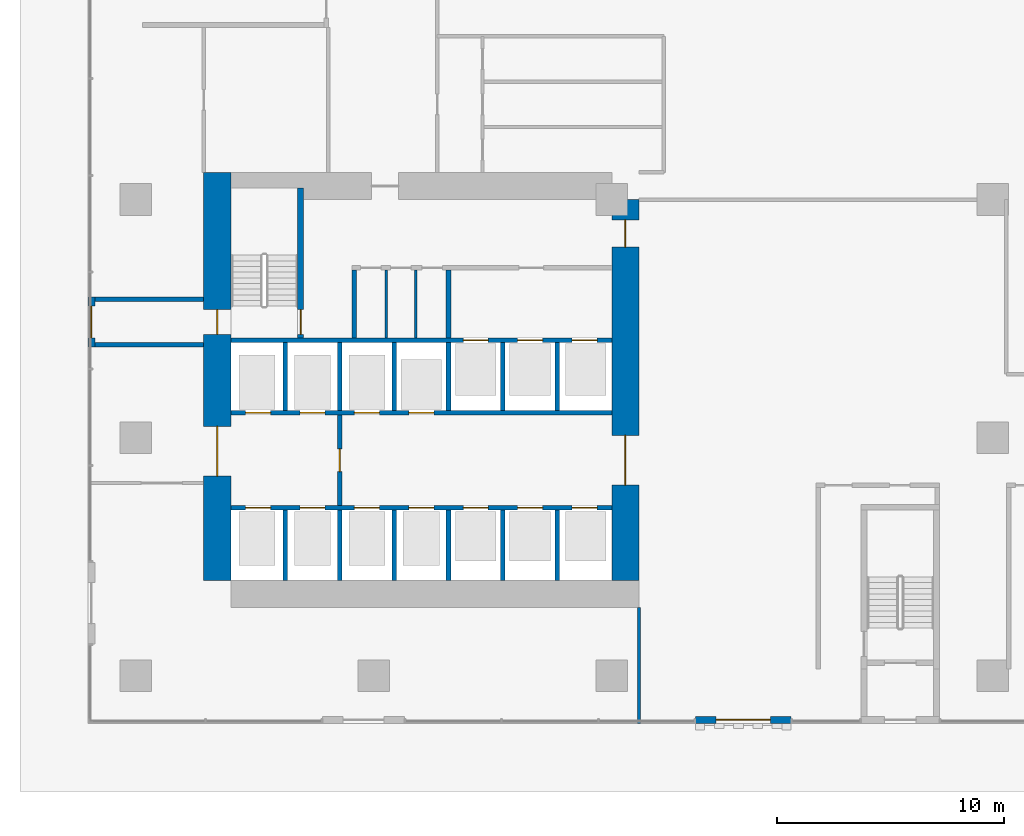
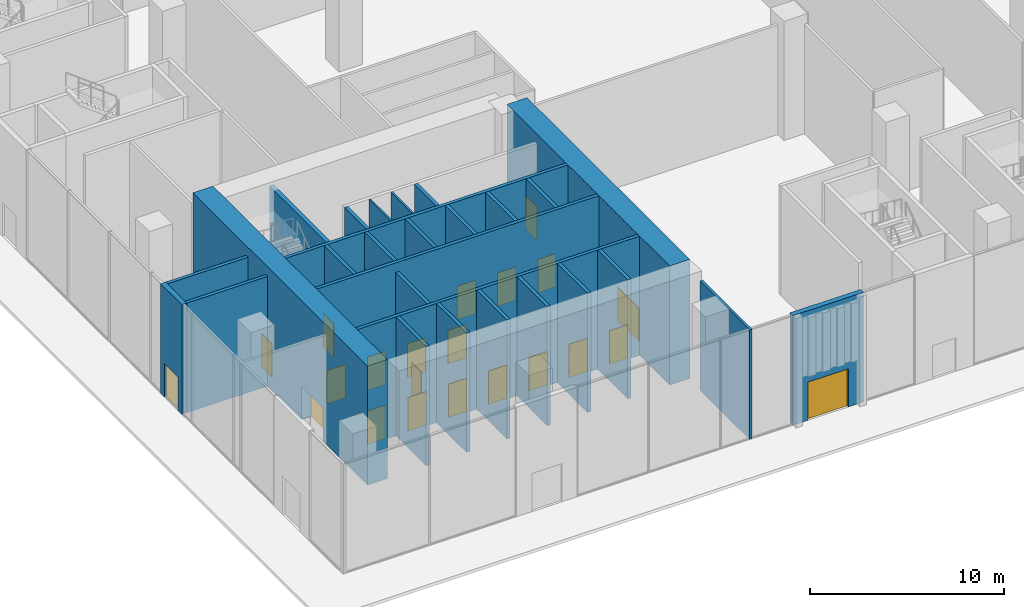
# One storey, part 13 of 26: 28 walls, 22 doors, 22 openings.
"""IFC4 building model written with IfcOpenShell, lengths in metres."""

from ifc_helpers import new_model, si_unit, direction, frame, frame_2d, origin, place, context, subcontext, project, spatial, rectangle, extrude, source, transform, mapped, material, layer, layer_set, type_object, element, fill, save


model = new_model("IFC4")

# Units and contexts
model_context = context("Model", 3, precision=1e-05, world=origin(), true_north=direction((0.0, 1.0)))
body_context = subcontext(model_context, "Body", "Model", "MODEL_VIEW")
ifc_project = project(units=[si_unit("LENGTHUNIT", "METRE"), si_unit("AREAUNIT", "SQUARE_METRE"), si_unit("VOLUMEUNIT", "CUBIC_METRE"), si_unit("PLANEANGLEUNIT", "RADIAN"), si_unit("MASSUNIT", "GRAM", prefix="KILO")], contexts=[model_context])

# Site, building, storey
site_placement = place(None, origin())
site = spatial("IfcSite", under=ifc_project, at=site_placement, CompositionType="ELEMENT")
building_placement = place(site_placement, origin())
building = spatial("IfcBuilding", under=site, at=building_placement, Name="Aurelian Terraces", CompositionType="ELEMENT")
storey_placement = place(building_placement, origin())
storey = spatial("IfcBuildingStorey", under=building, at=storey_placement, Name="L00", CompositionType="ELEMENT", Elevation=0.0)

# Wall, openings, doors
ifc_material_1 = material(Name="Concrete fc' 83 MPa", Category="concrete")
ifc_layer_1 = layer(ifc_material_1, 1.2)
ifc_layer_set_1 = layer_set([ifc_layer_1], Name="CORE WALL 1200 FC83")
wall_type_1 = type_object("IfcWallType", Name="CORE WALL 1200 FC83", PredefinedType="SHEAR", material=ifc_layer_set_1)
wall_1_placement = place(storey_placement, frame((3.6, 4.2, 0.0), z_axis=(0.0, 0.0, 1.0), x_axis=(0.0, 1.0, 0.0)))
wall_1 = element("IfcWall", 1, at=wall_1_placement, inside=storey, type_object=wall_type_1, Name="Core wall W L00", PredefinedType="SHEAR", context=body_context, shape_type="SweptSolid", body=[
    extrude(rectangle(XDim=18.0, YDim=1.2, at=frame_2d((9.0, 0.0))), origin(), (0.0, 0.0, 1.0), 7.5),
])
shared_shape_1 = source(origin(), body_context, "Body", "SweptSolid", [
    extrude(rectangle(XDim=2.2, YDim=2.1, at=frame_2d((1.1, 1.05))), frame((0.0, 0.61, 0.0), z_axis=(0.0, -1.0, 0.0), x_axis=(1.0, 0.0, 0.0)), (0.0, 0.0, 1.0), 1.22),
])
opening_1_placement = place(wall_1_placement, frame((4.6, 0.0, 0.0)))
opening_1 = element("IfcOpeningElement", 2, at=opening_1_placement, cuts=wall_1, Name="Opening 60352", PredefinedType="OPENING", context=body_context, shape_type="MappedRepresentation", body=[
    mapped(shared_shape_1, transform((0.0, 0.0, 0.0), scale=1.0)),
])
opening_2_placement = place(wall_1_placement, frame((10.85, 0.0, 0.0)))
opening_2 = element("IfcOpeningElement", 3, at=opening_2_placement, cuts=wall_1, Name="Opening 60355", PredefinedType="OPENING", context=body_context, shape_type="SweptSolid", body=[
    extrude(rectangle(XDim=1.1, YDim=2.1, at=frame_2d((0.55, 1.05))), frame((0.0, 0.61, 0.0), z_axis=(0.0, -1.0, 0.0), x_axis=(1.0, 0.0, 0.0)), (0.0, 0.0, 1.0), 1.22),
])
ifc_material_2 = material(Name="Steel door leaf", Category="steel")
door_type_1 = type_object("IfcDoorType", Name="Core fire door 1100x2100 right", OperationType="SINGLE_SWING_RIGHT", PredefinedType="DOOR", material=ifc_material_2)
shared_shape_2 = source(origin(), body_context, "Body", "SweptSolid", [
    extrude(rectangle(XDim=1.1, YDim=2.1, at=frame_2d((0.55, 1.05))), frame((0.0, 0.025, 0.0), z_axis=(0.0, -1.0, 0.0), x_axis=(1.0, 0.0, 0.0)), (0.0, 0.0, 1.0), 0.05),
])
door_1_placement = place(opening_2_placement, origin())
door_1 = element("IfcDoor", 4, at=door_1_placement, inside=storey, type_object=door_type_1, Name="Core door 60355", OperationType="SINGLE_SWING_RIGHT", OverallHeight=2.1, OverallWidth=1.1, PredefinedType="DOOR", context=body_context, shape_type="MappedRepresentation", body=[
    mapped(shared_shape_2, transform((0.0, 0.0, 0.0), scale=1.0)),
])
fill(opening_2, door_1)
door_type_2 = type_object("IfcDoorType", Name="Core double door 2200x2100", OperationType="DOUBLE_DOOR_SINGLE_SWING", PredefinedType="DOOR", material=ifc_material_2)
shared_shape_3 = source(origin(), body_context, "Body", "SweptSolid", [
    extrude(rectangle(XDim=2.2, YDim=2.1, at=frame_2d((1.1, 1.05))), frame((0.0, 0.025, 0.0), z_axis=(0.0, -1.0, 0.0), x_axis=(1.0, 0.0, 0.0)), (0.0, 0.0, 1.0), 0.05),
])
door_2_placement = place(opening_1_placement, origin())
door_2 = element("IfcDoor", 5, at=door_2_placement, inside=storey, type_object=door_type_2, Name="Core door 60352", OperationType="DOUBLE_DOOR_SINGLE_SWING", OverallHeight=2.1, OverallWidth=2.2, PredefinedType="DOOR", context=body_context, shape_type="MappedRepresentation", body=[
    mapped(shared_shape_3, transform((0.0, 0.0, 0.0), scale=1.0)),
])
fill(opening_1, door_2)

wall_2_placement = place(storey_placement, frame((21.6, 4.2, 0.0), z_axis=(0.0, 0.0, 1.0), x_axis=(0.0, 1.0, 0.0)))
wall_2 = element("IfcWall", 6, at=wall_2_placement, inside=storey, type_object=wall_type_1, Name="Core wall E L00", PredefinedType="SHEAR", context=body_context, shape_type="SweptSolid", body=[
    extrude(rectangle(XDim=16.8, YDim=1.2, at=frame_2d((8.4, 0.0))), origin(), (0.0, 0.0, 1.0), 7.5),
])
opening_3_placement = place(wall_2_placement, frame((4.2, 0.0, 0.0)))
opening_3 = element("IfcOpeningElement", 7, at=opening_3_placement, cuts=wall_2, Name="Opening 60351", PredefinedType="OPENING", context=body_context, shape_type="MappedRepresentation", body=[
    mapped(shared_shape_1, transform((0.0, 0.0, 0.0), scale=1.0)),
])
shared_shape_4 = source(origin(), body_context, "Body", "SweptSolid", [
    extrude(rectangle(XDim=1.2, YDim=2.1, at=frame_2d((0.6, 1.05))), frame((0.0, 0.61, 0.0), z_axis=(0.0, -1.0, 0.0), x_axis=(1.0, 0.0, 0.0)), (0.0, 0.0, 1.0), 1.22),
])
opening_4_placement = place(wall_2_placement, frame((14.7, 0.0, 0.0)))
opening_4 = element("IfcOpeningElement", 8, at=opening_4_placement, cuts=wall_2, Name="Opening 60354", PredefinedType="OPENING", context=body_context, shape_type="MappedRepresentation", body=[
    mapped(shared_shape_4, transform((0.0, 0.0, 0.0), scale=1.0)),
])
door_type_3 = type_object("IfcDoorType", Name="Core fire door 1200x2100", OperationType="SINGLE_SWING_LEFT", PredefinedType="DOOR", material=ifc_material_2)
shared_shape_5 = source(origin(), body_context, "Body", "SweptSolid", [
    extrude(rectangle(XDim=1.2, YDim=2.1, at=frame_2d((0.6, 1.05))), frame((0.0, 0.025, 0.0), z_axis=(0.0, -1.0, 0.0), x_axis=(1.0, 0.0, 0.0)), (0.0, 0.0, 1.0), 0.05),
])
door_3_placement = place(opening_4_placement, origin())
door_3 = element("IfcDoor", 9, at=door_3_placement, inside=storey, type_object=door_type_3, Name="Core door 60354", OperationType="SINGLE_SWING_LEFT", OverallHeight=2.1, OverallWidth=1.2, PredefinedType="DOOR", context=body_context, shape_type="MappedRepresentation", body=[
    mapped(shared_shape_5, transform((0.0, 0.0, 0.0), scale=1.0)),
])
fill(opening_4, door_3)
door_4_placement = place(opening_3_placement, origin())
door_4 = element("IfcDoor", 10, at=door_4_placement, inside=storey, type_object=door_type_2, Name="Core door 60351", OperationType="DOUBLE_DOOR_SINGLE_SWING", OverallHeight=2.1, OverallWidth=2.2, PredefinedType="DOOR", context=body_context, shape_type="MappedRepresentation", body=[
    mapped(shared_shape_3, transform((0.0, 0.0, 0.0), scale=1.0)),
])
fill(opening_3, door_4)

# Wall
ifc_material_3 = material(Name="Gypsum board on steel studs", Category="steel")
ifc_layer_2 = layer(ifc_material_3, 0.1)
ifc_layer_set_2 = layer_set([ifc_layer_2], Name="Core partition 100")
wall_type_2 = type_object("IfcWallType", Name="Core partition 100", PredefinedType="PARTITIONING", material=ifc_layer_set_2)
wall_3_placement = place(storey_placement, frame((11.05, 14.9, 0.0), z_axis=(0.0, 0.0, 1.0), x_axis=(0.0, 1.0, 0.0)))
element("IfcWall", 11, at=wall_3_placement, inside=storey, type_object=wall_type_2, Name="L00 core wall CP-SV1", PredefinedType="PARTITIONING", context=body_context, shape_type="SweptSolid", body=[
    extrude(rectangle(XDim=3.0, YDim=0.1, at=frame_2d((1.5, 0.0))), origin(), (0.0, 0.0, 1.0), 6.9),
])

# Wall, opening, door
ifc_layer_3 = layer(ifc_material_3, 0.2)
ifc_layer_set_3 = layer_set([ifc_layer_3], Name="Core partition 200")
wall_type_3 = type_object("IfcWallType", Name="Core partition 200", PredefinedType="PARTITIONING", material=ifc_layer_set_3)
wall_4_placement = place(storey_placement, frame((9.0, 7.5, 0.0), z_axis=(0.0, 0.0, 1.0), x_axis=(0.0, 1.0, 0.0)))
wall_4 = element("IfcWall", 12, at=wall_4_placement, inside=storey, type_object=wall_type_3, Name="L00 core wall CP-FCC", PredefinedType="PARTITIONING", context=body_context, shape_type="SweptSolid", body=[
    extrude(rectangle(XDim=4.0, YDim=0.2, at=frame_2d((2.0, 0.0))), origin(), (0.0, 0.0, 1.0), 6.9),
])
opening_5_placement = place(wall_4_placement, frame((1.5, 0.0, 0.0)))
opening_5 = element("IfcOpeningElement", 13, at=opening_5_placement, cuts=wall_4, Name="Opening 60314", PredefinedType="OPENING", context=body_context, shape_type="SweptSolid", body=[
    extrude(rectangle(XDim=1.0, YDim=2.1, at=frame_2d((0.5, 1.05))), frame((0.0, 0.11, 0.0), z_axis=(0.0, -1.0, 0.0), x_axis=(1.0, 0.0, 0.0)), (0.0, 0.0, 1.0), 0.22),
])
door_type_4 = type_object("IfcDoorType", Name="Core fire door 1000x2100 right", OperationType="SINGLE_SWING_RIGHT", PredefinedType="DOOR", material=ifc_material_2)
shared_shape_6 = source(origin(), body_context, "Body", "SweptSolid", [
    extrude(rectangle(XDim=1.0, YDim=2.1, at=frame_2d((0.5, 1.05))), frame((0.0, 0.025, 0.0), z_axis=(0.0, -1.0, 0.0), x_axis=(1.0, 0.0, 0.0)), (0.0, 0.0, 1.0), 0.05),
])
door_5_placement = place(opening_5_placement, origin())
door_5 = element("IfcDoor", 14, at=door_5_placement, inside=storey, type_object=door_type_4, Name="Room door 60314", OperationType="SINGLE_SWING_RIGHT", OverallHeight=2.1, OverallWidth=1.0, PredefinedType="DOOR", context=body_context, shape_type="MappedRepresentation", body=[
    mapped(shared_shape_6, transform((0.0, 0.0, 0.0), scale=1.0)),
])
fill(opening_5, door_5)

# Walls
wall_5_placement = place(storey_placement, frame((9.65, 14.9, 0.0), z_axis=(0.0, 0.0, 1.0), x_axis=(0.0, 1.0, 0.0)))
element("IfcWall", 15, at=wall_5_placement, inside=storey, type_object=wall_type_3, Name="L00 core wall CP-VEST", PredefinedType="PARTITIONING", context=body_context, shape_type="SweptSolid", body=[
    extrude(rectangle(XDim=3.0, YDim=0.2, at=frame_2d((1.5, 0.0))), origin(), (0.0, 0.0, 1.0), 6.9),
])
wall_6_placement = place(storey_placement, frame((-2.1, 14.6, 0.0), z_axis=(0.0, 0.0, 1.0), x_axis=(1.0, 0.0, 0.0)))
element("IfcWall", 16, at=wall_6_placement, inside=storey, type_object=wall_type_3, Name="L00 core wall ST-S1-PS", PredefinedType="PARTITIONING", context=body_context, shape_type="SweptSolid", body=[
    extrude(rectangle(XDim=5.1, YDim=0.2, at=frame_2d((2.55, 0.0))), origin(), (0.0, 0.0, 1.0), 6.9),
])

# Wall, opening, door
ifc_layer_4 = layer(ifc_material_3, 0.3)
ifc_layer_set_4 = layer_set([ifc_layer_4], Name="Core partition 300")
wall_type_4 = type_object("IfcWallType", Name="Core partition 300", PredefinedType="PARTITIONING", material=ifc_layer_set_4)
wall_7_placement = place(storey_placement, frame((-1.95, 14.5, 0.0), z_axis=(0.0, 0.0, 1.0), x_axis=(0.0, 1.0, 0.0)))
wall_7 = element("IfcWall", 17, at=wall_7_placement, inside=storey, type_object=wall_type_4, Name="L00 core wall ST-S1-PO", PredefinedType="PARTITIONING", context=body_context, shape_type="SweptSolid", body=[
    extrude(rectangle(XDim=2.2, YDim=0.3, at=frame_2d((1.1, 0.0))), origin(), (0.0, 0.0, 1.0), 6.9),
])
shared_shape_7 = source(origin(), body_context, "Body", "SweptSolid", [
    extrude(rectangle(XDim=1.4, YDim=2.1, at=frame_2d((0.7, 1.05))), frame((0.0, 0.16, 0.0), z_axis=(0.0, -1.0, 0.0), x_axis=(1.0, 0.0, 0.0)), (0.0, 0.0, 1.0), 0.32),
])
opening_6_placement = place(wall_7_placement, frame((0.4, 0.0, 0.0)))
opening_6 = element("IfcOpeningElement", 18, at=opening_6_placement, cuts=wall_7, Name="Opening 60330", PredefinedType="OPENING", context=body_context, shape_type="MappedRepresentation", body=[
    mapped(shared_shape_7, transform((0.0, 0.0, 0.0), scale=1.0)),
])
door_type_5 = type_object("IfcDoorType", Name="Core exit door 1400x2100", OperationType="DOUBLE_DOOR_SINGLE_SWING", PredefinedType="DOOR", material=ifc_material_2)
shared_shape_8 = source(origin(), body_context, "Body", "SweptSolid", [
    extrude(rectangle(XDim=1.4, YDim=2.1, at=frame_2d((0.7, 1.05))), frame((0.0, 0.025, 0.0), z_axis=(0.0, -1.0, 0.0), x_axis=(1.0, 0.0, 0.0)), (0.0, 0.0, 1.0), 0.05),
])
door_6_placement = place(opening_6_placement, origin())
door_6 = element("IfcDoor", 19, at=door_6_placement, inside=storey, type_object=door_type_5, Name="Exit door 60330", OperationType="DOUBLE_DOOR_SINGLE_SWING", OverallHeight=2.1, OverallWidth=1.4, PredefinedType="DOOR", context=body_context, shape_type="MappedRepresentation", body=[
    mapped(shared_shape_8, transform((0.0, 0.0, 0.0), scale=1.0)),
])
fill(opening_6, door_6)

ifc_material_4 = material(Name="Terracotta rainscreen cladding", Category="masonry")
ifc_layer_5 = layer(ifc_material_4, 0.3)
ifc_layer_set_5 = layer_set([ifc_layer_5], Name="EW-300")
wall_type_5 = type_object("IfcWallType", Name="EW-300", PredefinedType="STANDARD", material=ifc_layer_set_5)
wall_8_placement = place(storey_placement, frame((24.7, -1.95, 0.0), z_axis=(0.0, 0.0, 1.0), x_axis=(1.0, 0.0, 0.0)))
wall_8 = element("IfcWall", 20, at=wall_8_placement, inside=storey, type_object=wall_type_5, Name="Entrance wall L00 F01", PredefinedType="STANDARD", context=body_context, shape_type="SweptSolid", body=[
    extrude(rectangle(XDim=4.2, YDim=0.3, at=frame_2d((2.1, 0.0))), origin(), (0.0, 0.0, 1.0), 6.9),
])
opening_7_placement = place(wall_8_placement, frame((0.9, 0.0, 0.0)))
opening_7 = element("IfcOpeningElement", 21, at=opening_7_placement, cuts=wall_8, Name="Opening 80002", PredefinedType="OPENING", context=body_context, shape_type="SweptSolid", body=[
    extrude(rectangle(XDim=2.4, YDim=2.4, at=frame_2d((1.2, 1.2))), frame((0.0, 0.16, 0.0), z_axis=(0.0, -1.0, 0.0), x_axis=(1.0, 0.0, 0.0)), (0.0, 0.0, 1.0), 0.32),
])
ifc_material_5 = material(Name="Clear glazing", Category="glass")
door_type_6 = type_object("IfcDoorType", Name="ED-2400x2400", OperationType="DOUBLE_DOOR_SINGLE_SWING", PredefinedType="DOOR", material=ifc_material_5)
door_7_placement = place(opening_7_placement, origin())
door_7 = element("IfcDoor", 22, at=door_7_placement, inside=storey, type_object=door_type_6, Name="Entrance door L00 F01", OperationType="DOUBLE_DOOR_SINGLE_SWING", OverallHeight=2.4, OverallWidth=2.4, PredefinedType="DOOR", context=body_context, shape_type="SweptSolid", body=[
    extrude(rectangle(XDim=2.4, YDim=2.4, at=frame_2d((1.2, 1.2))), frame((0.0, 0.025, 0.0), z_axis=(0.0, -1.0, 0.0), x_axis=(1.0, 0.0, 0.0)), (0.0, 0.0, 1.0), 0.05),
])
fill(opening_7, door_7)

# Walls
ifc_material_6 = material(Name="Concrete fc' 40 MPa", Category="concrete")
ifc_layer_6 = layer(ifc_material_6, 0.2)
ifc_layer_set_6 = layer_set([ifc_layer_6], Name="Lift shaft wall 200")
wall_type_6 = type_object("IfcWallType", Name="Lift shaft wall 200", PredefinedType="SOLIDWALL", material=ifc_layer_set_6)
wall_9_placement = place(storey_placement, frame((6.6, 4.2, 0.0), z_axis=(0.0, 0.0, 1.0), x_axis=(0.0, 1.0, 0.0)))
element("IfcWall", 23, at=wall_9_placement, inside=storey, type_object=wall_type_6, Name="L00 core wall CD-A1", PredefinedType="SOLIDWALL", context=body_context, shape_type="SweptSolid", body=[
    extrude(rectangle(XDim=3.1, YDim=0.2, at=frame_2d((1.55, 0.0))), origin(), (0.0, 0.0, 1.0), 7.5),
])
wall_10_placement = place(storey_placement, frame((6.6, 11.7, 0.0), z_axis=(0.0, 0.0, 1.0), x_axis=(0.0, 1.0, 0.0)))
element("IfcWall", 24, at=wall_10_placement, inside=storey, type_object=wall_type_6, Name="L00 core wall CD-B1", PredefinedType="SOLIDWALL", context=body_context, shape_type="SweptSolid", body=[
    extrude(rectangle(XDim=3.0, YDim=0.2, at=frame_2d((1.5, 0.0))), origin(), (0.0, 0.0, 1.0), 7.5),
])

# Wall, openings, doors
wall_11_placement = place(storey_placement, frame((4.2, 7.4, 0.0), z_axis=(0.0, 0.0, 1.0), x_axis=(1.0, 0.0, 0.0)))
wall_11 = element("IfcWall", 25, at=wall_11_placement, inside=storey, type_object=wall_type_6, Name="L00 core wall CF-AF1", PredefinedType="SOLIDWALL", context=body_context, shape_type="SweptSolid", body=[
    extrude(rectangle(XDim=16.8, YDim=0.2, at=frame_2d((8.4, 0.0))), origin(), (0.0, 0.0, 1.0), 7.5),
])
shared_shape_9 = source(origin(), body_context, "Body", "SweptSolid", [
    extrude(rectangle(XDim=1.1, YDim=2.1, at=frame_2d((0.55, 1.05))), frame((0.0, 0.11, 0.0), z_axis=(0.0, -1.0, 0.0), x_axis=(1.0, 0.0, 0.0)), (0.0, 0.0, 1.0), 0.22),
])
opening_8_placement = place(wall_11_placement, frame((0.65, 0.0, 0.0)))
opening_8 = element("IfcOpeningElement", 26, at=opening_8_placement, cuts=wall_11, Name="Opening 60300", PredefinedType="OPENING", context=body_context, shape_type="MappedRepresentation", body=[
    mapped(shared_shape_9, transform((0.0, 0.0, 0.0), scale=1.0)),
])
opening_9_placement = place(wall_11_placement, frame((3.05, 0.0, 0.0)))
opening_9 = element("IfcOpeningElement", 27, at=opening_9_placement, cuts=wall_11, Name="Opening 60301", PredefinedType="OPENING", context=body_context, shape_type="MappedRepresentation", body=[
    mapped(shared_shape_9, transform((0.0, 0.0, 0.0), scale=1.0)),
])
opening_10_placement = place(wall_11_placement, frame((5.45, 0.0, 0.0)))
opening_10 = element("IfcOpeningElement", 28, at=opening_10_placement, cuts=wall_11, Name="Opening 60302", PredefinedType="OPENING", context=body_context, shape_type="MappedRepresentation", body=[
    mapped(shared_shape_9, transform((0.0, 0.0, 0.0), scale=1.0)),
])
opening_11_placement = place(wall_11_placement, frame((7.85, 0.0, 0.0)))
opening_11 = element("IfcOpeningElement", 29, at=opening_11_placement, cuts=wall_11, Name="Opening 60303", PredefinedType="OPENING", context=body_context, shape_type="MappedRepresentation", body=[
    mapped(shared_shape_9, transform((0.0, 0.0, 0.0), scale=1.0)),
])
opening_12_placement = place(wall_11_placement, frame((10.25, 0.0, 0.0)))
opening_12 = element("IfcOpeningElement", 30, at=opening_12_placement, cuts=wall_11, Name="Opening 60304", PredefinedType="OPENING", context=body_context, shape_type="MappedRepresentation", body=[
    mapped(shared_shape_9, transform((0.0, 0.0, 0.0), scale=1.0)),
])
opening_13_placement = place(wall_11_placement, frame((12.65, 0.0, 0.0)))
opening_13 = element("IfcOpeningElement", 31, at=opening_13_placement, cuts=wall_11, Name="Opening 60305", PredefinedType="OPENING", context=body_context, shape_type="MappedRepresentation", body=[
    mapped(shared_shape_9, transform((0.0, 0.0, 0.0), scale=1.0)),
])
opening_14_placement = place(wall_11_placement, frame((15.05, 0.0, 0.0)))
opening_14 = element("IfcOpeningElement", 32, at=opening_14_placement, cuts=wall_11, Name="Opening 60306", PredefinedType="OPENING", context=body_context, shape_type="MappedRepresentation", body=[
    mapped(shared_shape_9, transform((0.0, 0.0, 0.0), scale=1.0)),
])
ifc_material_7 = material(Name="Stainless steel", Category="steel")
door_type_7 = type_object("IfcDoorType", Name="Lift landing door 1100x2100", OperationType="SLIDING_TO_LEFT", PredefinedType="DOOR", material=ifc_material_7)
door_8_placement = place(opening_8_placement, origin())
door_8 = element("IfcDoor", 33, at=door_8_placement, inside=storey, type_object=door_type_7, Name="Lift landing door LL1 L00", OperationType="SLIDING_TO_LEFT", OverallHeight=2.1, OverallWidth=1.1, PredefinedType="DOOR", context=body_context, shape_type="MappedRepresentation", body=[
    mapped(shared_shape_2, transform((0.0, 0.0, 0.0), scale=1.0)),
])
fill(opening_8, door_8)
door_9_placement = place(opening_9_placement, origin())
door_9 = element("IfcDoor", 34, at=door_9_placement, inside=storey, type_object=door_type_7, Name="Lift landing door LL2 L00", OperationType="SLIDING_TO_LEFT", OverallHeight=2.1, OverallWidth=1.1, PredefinedType="DOOR", context=body_context, shape_type="MappedRepresentation", body=[
    mapped(shared_shape_2, transform((0.0, 0.0, 0.0), scale=1.0)),
])
fill(opening_9, door_9)
door_10_placement = place(opening_10_placement, origin())
door_10 = element("IfcDoor", 35, at=door_10_placement, inside=storey, type_object=door_type_7, Name="Lift landing door LL3 L00", OperationType="SLIDING_TO_LEFT", OverallHeight=2.1, OverallWidth=1.1, PredefinedType="DOOR", context=body_context, shape_type="MappedRepresentation", body=[
    mapped(shared_shape_2, transform((0.0, 0.0, 0.0), scale=1.0)),
])
fill(opening_10, door_10)
door_11_placement = place(opening_11_placement, origin())
door_11 = element("IfcDoor", 36, at=door_11_placement, inside=storey, type_object=door_type_7, Name="Lift landing door LL4 L00", OperationType="SLIDING_TO_LEFT", OverallHeight=2.1, OverallWidth=1.1, PredefinedType="DOOR", context=body_context, shape_type="MappedRepresentation", body=[
    mapped(shared_shape_2, transform((0.0, 0.0, 0.0), scale=1.0)),
])
fill(opening_11, door_11)
door_12_placement = place(opening_12_placement, origin())
door_12 = element("IfcDoor", 37, at=door_12_placement, inside=storey, type_object=door_type_7, Name="Lift landing door SH1 L00", OperationType="SLIDING_TO_LEFT", OverallHeight=2.1, OverallWidth=1.1, PredefinedType="DOOR", context=body_context, shape_type="MappedRepresentation", body=[
    mapped(shared_shape_2, transform((0.0, 0.0, 0.0), scale=1.0)),
])
fill(opening_12, door_12)
door_13_placement = place(opening_13_placement, origin())
door_13 = element("IfcDoor", 38, at=door_13_placement, inside=storey, type_object=door_type_7, Name="Lift landing door SH2 L00", OperationType="SLIDING_TO_LEFT", OverallHeight=2.1, OverallWidth=1.1, PredefinedType="DOOR", context=body_context, shape_type="MappedRepresentation", body=[
    mapped(shared_shape_2, transform((0.0, 0.0, 0.0), scale=1.0)),
])
fill(opening_13, door_13)
door_14_placement = place(opening_14_placement, origin())
door_14 = element("IfcDoor", 39, at=door_14_placement, inside=storey, type_object=door_type_7, Name="Lift landing door SH3 L00", OperationType="SLIDING_TO_LEFT", OverallHeight=2.1, OverallWidth=1.1, PredefinedType="DOOR", context=body_context, shape_type="MappedRepresentation", body=[
    mapped(shared_shape_2, transform((0.0, 0.0, 0.0), scale=1.0)),
])
fill(opening_14, door_14)

# Wall, opening, door
ifc_layer_7 = layer(ifc_material_6, 0.25)
ifc_layer_set_7 = layer_set([ifc_layer_7], Name="Stair enclosure wall 250")
wall_type_7 = type_object("IfcWallType", Name="Stair enclosure wall 250", PredefinedType="SOLIDWALL", material=ifc_layer_set_7)
wall_12_placement = place(storey_placement, frame((7.275, 14.9, 0.0), z_axis=(0.0, 0.0, 1.0), x_axis=(0.0, 1.0, 0.0)))
wall_12 = element("IfcWall", 40, at=wall_12_placement, inside=storey, type_object=wall_type_7, Name="L00 core wall ST-S1-E", PredefinedType="SOLIDWALL", context=body_context, shape_type="SweptSolid", body=[
    extrude(rectangle(XDim=6.6, YDim=0.25, at=frame_2d((3.3, 0.0))), origin(), (0.0, 0.0, 1.0), 6.9),
])
shared_shape_10 = source(origin(), body_context, "Body", "SweptSolid", [
    extrude(rectangle(XDim=1.1, YDim=2.1, at=frame_2d((0.55, 1.05))), frame((0.0, 0.135, 0.0), z_axis=(0.0, -1.0, 0.0), x_axis=(1.0, 0.0, 0.0)), (0.0, 0.0, 1.0), 0.27),
])
opening_15_placement = place(wall_12_placement, frame((0.15, 0.0, 0.0)))
opening_15 = element("IfcOpeningElement", 41, at=opening_15_placement, cuts=wall_12, Name="Opening 60315", PredefinedType="OPENING", context=body_context, shape_type="MappedRepresentation", body=[
    mapped(shared_shape_10, transform((0.0, 0.0, 0.0), scale=1.0)),
])
door_type_8 = type_object("IfcDoorType", Name="Core fire door 1100x2100", OperationType="SINGLE_SWING_LEFT", PredefinedType="DOOR", material=ifc_material_2)
door_15_placement = place(opening_15_placement, origin())
door_15 = element("IfcDoor", 42, at=door_15_placement, inside=storey, type_object=door_type_8, Name="Stair door 60315", OperationType="SINGLE_SWING_LEFT", OverallHeight=2.1, OverallWidth=1.1, PredefinedType="DOOR", context=body_context, shape_type="MappedRepresentation", body=[
    mapped(shared_shape_2, transform((0.0, 0.0, 0.0), scale=1.0)),
])
fill(opening_15, door_15)

# Walls
shared_shape_11 = source(origin(), body_context, "Body", "SweptSolid", [
    extrude(rectangle(XDim=3.1, YDim=0.2, at=frame_2d((1.55, 0.0))), origin(), (0.0, 0.0, 1.0), 7.5),
])
for number, where, z_axis, x_axis, name in (
    (43, (9.0, 4.2, 0.0), (0.0, 0.0, 1.0), (0.0, 1.0, 0.0), "L00 core wall CD-A2"),
    (44, (11.4, 4.2, 0.0), (0.0, 0.0, 1.0), (0.0, 1.0, 0.0), "L00 core wall CD-A3"),
    (45, (13.8, 4.2, 0.0), (0.0, 0.0, 1.0), (0.0, 1.0, 0.0), "L00 core wall CD-A4"),
    (46, (16.2, 4.2, 0.0), (0.0, 0.0, 1.0), (0.0, 1.0, 0.0), "L00 core wall CD-A5"),
    (47, (18.6, 4.2, 0.0), (0.0, 0.0, 1.0), (0.0, 1.0, 0.0), "L00 core wall CD-A6"),
):
    element("IfcWall", number, at=place(storey_placement, frame(where, z_axis=z_axis, x_axis=x_axis)), inside=storey, type_object=wall_type_6, Name=name, PredefinedType="SOLIDWALL", context=body_context, shape_type="MappedRepresentation", body=[
        mapped(shared_shape_11, transform((0.0, 0.0, 0.0), scale=1.0)),
    ])
shared_shape_12 = source(origin(), body_context, "Body", "SweptSolid", [
    extrude(rectangle(XDim=3.0, YDim=0.2, at=frame_2d((1.5, 0.0))), origin(), (0.0, 0.0, 1.0), 7.5),
])
for number, where, z_axis, x_axis, name in (
    (48, (9.0, 11.7, 0.0), (0.0, 0.0, 1.0), (0.0, 1.0, 0.0), "L00 core wall CD-B2"),
    (49, (11.4, 11.7, 0.0), (0.0, 0.0, 1.0), (0.0, 1.0, 0.0), "L00 core wall CD-B3"),
    (50, (13.8, 11.7, 0.0), (0.0, 0.0, 1.0), (0.0, 1.0, 0.0), "L00 core wall CD-B4"),
    (51, (16.2, 11.7, 0.0), (0.0, 0.0, 1.0), (0.0, 1.0, 0.0), "L00 core wall CD-B5"),
    (52, (18.6, 11.7, 0.0), (0.0, 0.0, 1.0), (0.0, 1.0, 0.0), "L00 core wall CD-B6"),
):
    element("IfcWall", number, at=place(storey_placement, frame(where, z_axis=z_axis, x_axis=x_axis)), inside=storey, type_object=wall_type_6, Name=name, PredefinedType="SOLIDWALL", context=body_context, shape_type="MappedRepresentation", body=[
        mapped(shared_shape_12, transform((0.0, 0.0, 0.0), scale=1.0)),
    ])

# Wall, openings, doors
shared_shape_13 = source(origin(), body_context, "Body", "SweptSolid", [
    extrude(rectangle(XDim=16.8, YDim=0.2, at=frame_2d((8.4, 0.0))), origin(), (0.0, 0.0, 1.0), 7.5),
])
wall_13_placement = place(storey_placement, frame((4.2, 11.6, 0.0), z_axis=(0.0, 0.0, 1.0), x_axis=(1.0, 0.0, 0.0)))
wall_13 = element("IfcWall", 53, at=wall_13_placement, inside=storey, type_object=wall_type_6, Name="L00 core wall CF-BF1", PredefinedType="SOLIDWALL", context=body_context, shape_type="MappedRepresentation", body=[
    mapped(shared_shape_13, transform((0.0, 0.0, 0.0), scale=1.0)),
])
opening_16_placement = place(wall_13_placement, frame((0.65, 0.0, 0.0)))
opening_16 = element("IfcOpeningElement", 54, at=opening_16_placement, cuts=wall_13, Name="Opening 60307", PredefinedType="OPENING", context=body_context, shape_type="MappedRepresentation", body=[
    mapped(shared_shape_9, transform((0.0, 0.0, 0.0), scale=1.0)),
])
opening_17_placement = place(wall_13_placement, frame((3.05, 0.0, 0.0)))
opening_17 = element("IfcOpeningElement", 55, at=opening_17_placement, cuts=wall_13, Name="Opening 60308", PredefinedType="OPENING", context=body_context, shape_type="MappedRepresentation", body=[
    mapped(shared_shape_9, transform((0.0, 0.0, 0.0), scale=1.0)),
])
opening_18_placement = place(wall_13_placement, frame((5.45, 0.0, 0.0)))
opening_18 = element("IfcOpeningElement", 56, at=opening_18_placement, cuts=wall_13, Name="Opening 60309", PredefinedType="OPENING", context=body_context, shape_type="MappedRepresentation", body=[
    mapped(shared_shape_9, transform((0.0, 0.0, 0.0), scale=1.0)),
])
opening_19_placement = place(wall_13_placement, frame((7.85, 0.0, 0.0)))
opening_19 = element("IfcOpeningElement", 57, at=opening_19_placement, cuts=wall_13, Name="Opening 60310", PredefinedType="OPENING", context=body_context, shape_type="MappedRepresentation", body=[
    mapped(shared_shape_9, transform((0.0, 0.0, 0.0), scale=1.0)),
])
door_16_placement = place(opening_16_placement, origin())
door_16 = element("IfcDoor", 58, at=door_16_placement, inside=storey, type_object=door_type_7, Name="Lift landing door LL5 L00", OperationType="SLIDING_TO_LEFT", OverallHeight=2.1, OverallWidth=1.1, PredefinedType="DOOR", context=body_context, shape_type="MappedRepresentation", body=[
    mapped(shared_shape_2, transform((0.0, 0.0, 0.0), scale=1.0)),
])
fill(opening_16, door_16)
door_17_placement = place(opening_17_placement, origin())
door_17 = element("IfcDoor", 59, at=door_17_placement, inside=storey, type_object=door_type_7, Name="Lift landing door LL6 L00", OperationType="SLIDING_TO_LEFT", OverallHeight=2.1, OverallWidth=1.1, PredefinedType="DOOR", context=body_context, shape_type="MappedRepresentation", body=[
    mapped(shared_shape_2, transform((0.0, 0.0, 0.0), scale=1.0)),
])
fill(opening_17, door_17)
door_18_placement = place(opening_18_placement, origin())
door_18 = element("IfcDoor", 60, at=door_18_placement, inside=storey, type_object=door_type_7, Name="Lift landing door LL7 L00", OperationType="SLIDING_TO_LEFT", OverallHeight=2.1, OverallWidth=1.1, PredefinedType="DOOR", context=body_context, shape_type="MappedRepresentation", body=[
    mapped(shared_shape_2, transform((0.0, 0.0, 0.0), scale=1.0)),
])
fill(opening_18, door_18)
door_19_placement = place(opening_19_placement, origin())
door_19 = element("IfcDoor", 61, at=door_19_placement, inside=storey, type_object=door_type_7, Name="Lift landing door SH4 L00", OperationType="SLIDING_TO_LEFT", OverallHeight=2.1, OverallWidth=1.1, PredefinedType="DOOR", context=body_context, shape_type="MappedRepresentation", body=[
    mapped(shared_shape_2, transform((0.0, 0.0, 0.0), scale=1.0)),
])
fill(opening_19, door_19)

wall_14_placement = place(storey_placement, frame((4.2, 14.8, 0.0), z_axis=(0.0, 0.0, 1.0), x_axis=(1.0, 0.0, 0.0)))
wall_14 = element("IfcWall", 62, at=wall_14_placement, inside=storey, type_object=wall_type_6, Name="L00 core wall CF-BB1", PredefinedType="SOLIDWALL", context=body_context, shape_type="MappedRepresentation", body=[
    mapped(shared_shape_13, transform((0.0, 0.0, 0.0), scale=1.0)),
])
opening_20_placement = place(wall_14_placement, frame((10.25, 0.0, 0.0)))
opening_20 = element("IfcOpeningElement", 63, at=opening_20_placement, cuts=wall_14, Name="Opening 60311", PredefinedType="OPENING", context=body_context, shape_type="MappedRepresentation", body=[
    mapped(shared_shape_9, transform((0.0, 0.0, 0.0), scale=1.0)),
])
opening_21_placement = place(wall_14_placement, frame((12.65, 0.0, 0.0)))
opening_21 = element("IfcOpeningElement", 64, at=opening_21_placement, cuts=wall_14, Name="Opening 60312", PredefinedType="OPENING", context=body_context, shape_type="MappedRepresentation", body=[
    mapped(shared_shape_9, transform((0.0, 0.0, 0.0), scale=1.0)),
])
opening_22_placement = place(wall_14_placement, frame((15.05, 0.0, 0.0)))
opening_22 = element("IfcOpeningElement", 65, at=opening_22_placement, cuts=wall_14, Name="Opening 60313", PredefinedType="OPENING", context=body_context, shape_type="MappedRepresentation", body=[
    mapped(shared_shape_9, transform((0.0, 0.0, 0.0), scale=1.0)),
])
door_20_placement = place(opening_20_placement, origin())
door_20 = element("IfcDoor", 66, at=door_20_placement, inside=storey, type_object=door_type_7, Name="Lift landing door F1 L00", OperationType="SLIDING_TO_LEFT", OverallHeight=2.1, OverallWidth=1.1, PredefinedType="DOOR", context=body_context, shape_type="MappedRepresentation", body=[
    mapped(shared_shape_2, transform((0.0, 0.0, 0.0), scale=1.0)),
])
fill(opening_20, door_20)
door_21_placement = place(opening_21_placement, origin())
door_21 = element("IfcDoor", 67, at=door_21_placement, inside=storey, type_object=door_type_7, Name="Lift landing door F2 L00", OperationType="SLIDING_TO_LEFT", OverallHeight=2.1, OverallWidth=1.1, PredefinedType="DOOR", context=body_context, shape_type="MappedRepresentation", body=[
    mapped(shared_shape_2, transform((0.0, 0.0, 0.0), scale=1.0)),
])
fill(opening_21, door_21)
door_22_placement = place(opening_22_placement, origin())
door_22 = element("IfcDoor", 68, at=door_22_placement, inside=storey, type_object=door_type_7, Name="Lift landing door F3 L00", OperationType="SLIDING_TO_LEFT", OverallHeight=2.1, OverallWidth=1.1, PredefinedType="DOOR", context=body_context, shape_type="MappedRepresentation", body=[
    mapped(shared_shape_2, transform((0.0, 0.0, 0.0), scale=1.0)),
])
fill(opening_22, door_22)

# Walls
shared_shape_14 = source(origin(), body_context, "Body", "SweptSolid", [
    extrude(rectangle(XDim=3.0, YDim=0.2, at=frame_2d((1.5, 0.0))), origin(), (0.0, 0.0, 1.0), 6.9),
])
wall_15_placement = place(storey_placement, frame((13.8, 14.9, 0.0), z_axis=(0.0, 0.0, 1.0), x_axis=(0.0, 1.0, 0.0)))
element("IfcWall", 69, at=wall_15_placement, inside=storey, type_object=wall_type_3, Name="L00 core wall CP-FFL", PredefinedType="PARTITIONING", context=body_context, shape_type="MappedRepresentation", body=[
    mapped(shared_shape_14, transform((0.0, 0.0, 0.0), scale=1.0)),
])
shared_shape_15 = source(origin(), body_context, "Body", "SweptSolid", [
    extrude(rectangle(XDim=3.0, YDim=0.1, at=frame_2d((1.5, 0.0))), origin(), (0.0, 0.0, 1.0), 6.9),
])
wall_16_placement = place(storey_placement, frame((12.35, 14.9, 0.0), z_axis=(0.0, 0.0, 1.0), x_axis=(0.0, 1.0, 0.0)))
element("IfcWall", 70, at=wall_16_placement, inside=storey, type_object=wall_type_2, Name="L00 core wall CP-SV2", PredefinedType="PARTITIONING", context=body_context, shape_type="MappedRepresentation", body=[
    mapped(shared_shape_15, transform((0.0, 0.0, 0.0), scale=1.0)),
])
shared_shape_16 = source(origin(), body_context, "Body", "SweptSolid", [
    extrude(rectangle(XDim=5.1, YDim=0.2, at=frame_2d((2.55, 0.0))), origin(), (0.0, 0.0, 1.0), 6.9),
])
wall_17_placement = place(storey_placement, frame((-2.1, 16.6, 0.0), z_axis=(0.0, 0.0, 1.0), x_axis=(1.0, 0.0, 0.0)))
element("IfcWall", 71, at=wall_17_placement, inside=storey, type_object=wall_type_3, Name="L00 core wall ST-S1-PN", PredefinedType="PARTITIONING", context=body_context, shape_type="MappedRepresentation", body=[
    mapped(shared_shape_16, transform((0.0, 0.0, 0.0), scale=1.0)),
])
ifc_layer_8 = layer(ifc_material_3, 0.15)
ifc_layer_set_8 = layer_set([ifc_layer_8], Name="Special partition 150")
wall_type_8 = type_object("IfcWallType", Name="Special partition 150", PredefinedType="PARTITIONING", material=ifc_layer_set_8)
shared_shape_17 = source(origin(), body_context, "Body", "SweptSolid", [
    extrude(rectangle(XDim=5.1, YDim=0.15, at=frame_2d((2.55, 0.0))), origin(), (0.0, 0.0, 1.0), 6.9),
])
wall_18_placement = place(storey_placement, frame((22.2, -2.1, 0.0), z_axis=(0.0, 0.0, 1.0), x_axis=(0.0, 1.0, 0.0)))
element("IfcWall", 72, at=wall_18_placement, inside=storey, type_object=wall_type_8, Name="L00 partition W34", PredefinedType="PARTITIONING", context=body_context, shape_type="MappedRepresentation", body=[
    mapped(shared_shape_17, transform((0.0, 0.0, 0.0), scale=1.0)),
])

save(model, "model.ifc")
